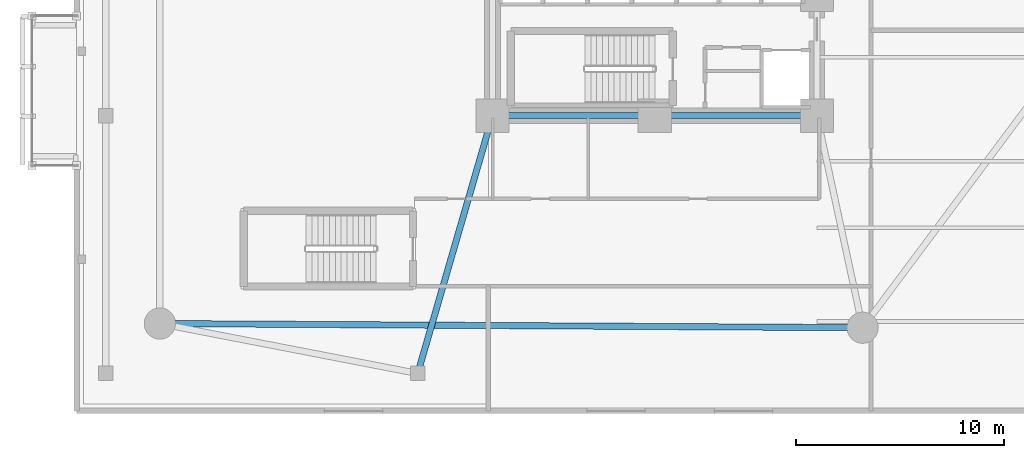
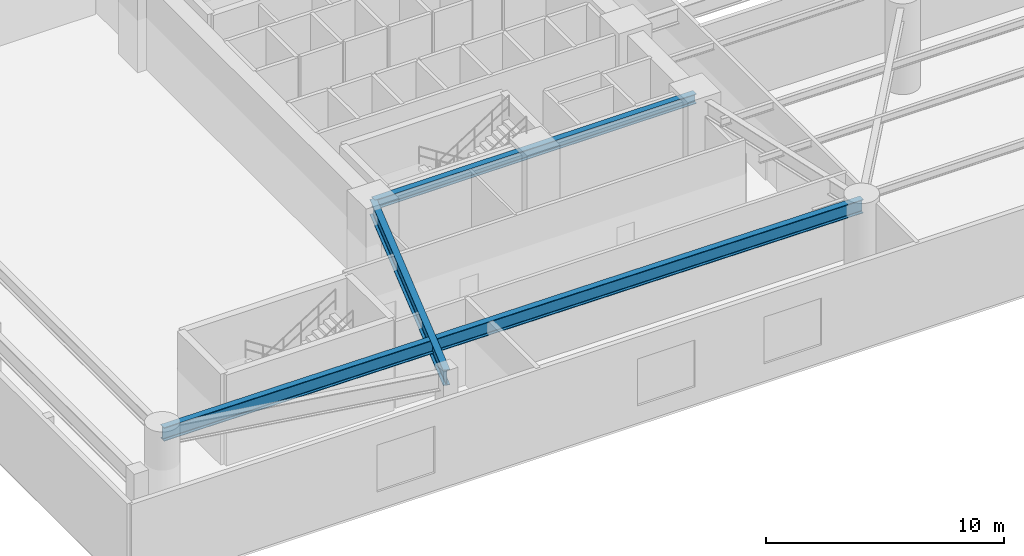
# One storey, part 3 of 16: 3 beams.
"""IFC4 building model written with IfcOpenShell, lengths in metres."""

from ifc_helpers import new_model, si_unit, direction, frame, origin, origin_2d, place, context, subcontext, project, spatial, i_section, extrude, material, material_profile, profile_set, type_object, element, save


model = new_model("IFC4")

# Units and contexts
model_context = context("Model", 3, precision=1e-05, world=origin(), true_north=direction((0.0, 1.0)))
body_context = subcontext(model_context, "Body", "Model", "MODEL_VIEW")
ifc_project = project(units=[si_unit("LENGTHUNIT", "METRE"), si_unit("AREAUNIT", "SQUARE_METRE"), si_unit("VOLUMEUNIT", "CUBIC_METRE"), si_unit("PLANEANGLEUNIT", "RADIAN"), si_unit("MASSUNIT", "GRAM", prefix="KILO")], contexts=[model_context])

# Site, building, storey
site_placement = place(None, origin())
site = spatial("IfcSite", under=ifc_project, at=site_placement, CompositionType="ELEMENT")
building_placement = place(site_placement, origin())
building = spatial("IfcBuilding", under=site, at=building_placement, Name="An Khanh Terracotta Commons", CompositionType="ELEMENT")
storey_placement = place(building_placement, frame((0.0, 0.0, 5.39990234375)))
storey = spatial("IfcBuildingStorey", under=building, at=storey_placement, Name="L02", CompositionType="ELEMENT", Elevation=5.39990234375)

# Beams
ifc_material = material(Name="Steel S355J2", Category="steel")
ifc_material_profile_1 = material_profile(ifc_material, i_section(OverallWidth=0.300048828125, OverallDepth=0.5, WebThickness=0.014404296875, FlangeThickness=0.028076171875, FilletRadius=0.027099609375, at=origin_2d()), Name="HEB500")
ifc_profile_set_1 = profile_set([ifc_material_profile_1], Name="Steel S355J2")
beam_type_1 = type_object("IfcBeamType", Name="BM-HEB500", PredefinedType="BEAM", material=ifc_profile_set_1)
beam_1_placement = place(storey_placement, frame((21.60009765625, 14.39990234375, 4.18017578125), z_axis=(1.0, 0.0, 0.0), x_axis=(0.0, 1.0, 0.0)))
element("IfcBeam", 1, at=beam_1_placement, inside=storey, type_object=beam_type_1, Name="L02 Core South Coupling Girder", PredefinedType="BEAM", context=body_context, shape_type="SweptSolid", body=[
    extrude(i_section(OverallWidth=0.300048828125, OverallDepth=0.5, WebThickness=0.014404296875, FlangeThickness=0.028076171875, FilletRadius=0.027099609375, at=origin_2d()), origin(), (0.0, 0.0, 1.0), 15.599853515625),
])
ifc_material_profile_2 = material_profile(ifc_material, i_section(OverallWidth=0.300048828125, OverallDepth=0.699951171875, WebThickness=0.01708984375, FlangeThickness=0.031982421875, FilletRadius=0.027099609375, at=origin_2d()), Name="HEB700")
ifc_profile_set_2 = profile_set([ifc_material_profile_2], Name="Steel S355J2")
beam_type_2 = type_object("IfcBeamType", Name="BM-HEB700", PredefinedType="BEAM", material=ifc_profile_set_2)
beam_2_placement = place(storey_placement, frame((5.60009765625, 4.39990234375, 4.080078125), z_axis=(0.999982502414, -0.005915645817, 0.0), x_axis=(0.005915645817, 0.999982502414, 0.0)))
element("IfcBeam", 2, at=beam_2_placement, inside=storey, type_object=beam_type_2, Name="L02 Podium Mega-Ring Girder 1", PredefinedType="BEAM", context=body_context, shape_type="SweptSolid", body=[
    extrude(i_section(OverallWidth=0.300048828125, OverallDepth=0.699951171875, WebThickness=0.01708984375, FlangeThickness=0.031982421875, FilletRadius=0.027099609375, at=origin_2d()), origin(), (0.0, 0.0, 1.0), 33.80029296875),
])
ifc_material_profile_3 = material_profile(ifc_material, i_section(OverallWidth=0.300048828125, OverallDepth=0.800048828125, WebThickness=0.017578125, FlangeThickness=0.032958984375, FilletRadius=0.030029296875, at=origin_2d()), Name="HEB800")
ifc_profile_set_3 = profile_set([ifc_material_profile_3], Name="Steel S355J2")
beam_type_3 = type_object("IfcBeamType", Name="BM-HEB800", PredefinedType="BEAM", material=ifc_profile_set_3)
beam_3_placement = place(storey_placement, frame((18.0, 2.0, 4.030029296875), z_axis=(0.278819195264, 0.960343613689, 0.0), x_axis=(-0.960343613689, 0.278819195264, 0.0)))
element("IfcBeam", 3, at=beam_3_placement, inside=storey, type_object=beam_type_3, Name="L02 Primary Podium Girder 5", PredefinedType="BEAM", context=body_context, shape_type="SweptSolid", body=[
    extrude(i_section(OverallWidth=0.300048828125, OverallDepth=0.800048828125, WebThickness=0.017578125, FlangeThickness=0.032958984375, FilletRadius=0.030029296875, at=origin_2d()), origin(), (0.0, 0.0, 1.0), 12.911865234375),
])

save(model, "model.ifc")
